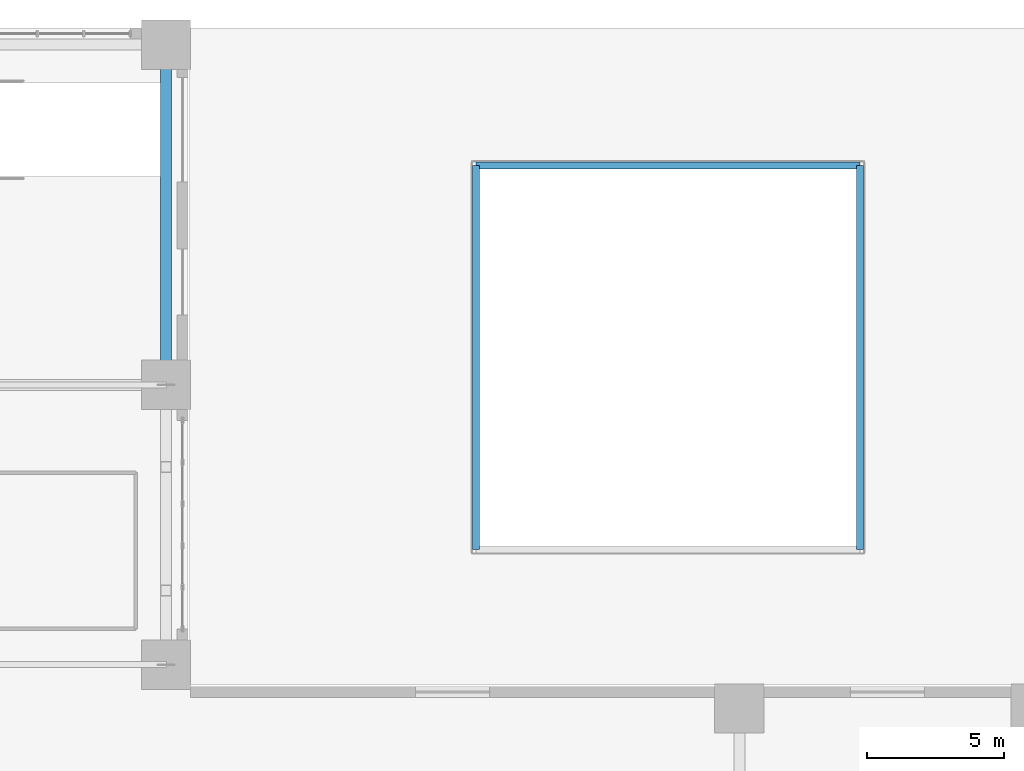
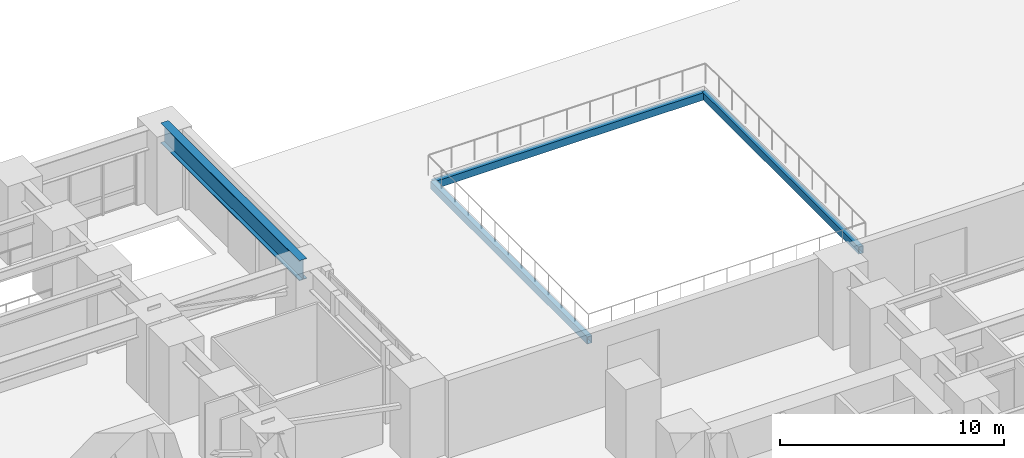
# One storey, part 9 of 23: 4 beams.
"""IFC4 building model written with IfcOpenShell, lengths in metres."""

from ifc_helpers import new_model, si_unit, direction, frame, origin, origin_2d, place, context, subcontext, project, spatial, hollow_rectangle, i_section, extrude, source, transform, mapped, material, material_profile, profile_set, type_object, element, save


model = new_model("IFC4")

# Units and contexts
model_context = context("Model", 3, precision=1e-05, world=origin(), true_north=direction((0.0, 1.0)))
body_context = subcontext(model_context, "Body", "Model", "MODEL_VIEW")
ifc_project = project(units=[si_unit("LENGTHUNIT", "METRE"), si_unit("AREAUNIT", "SQUARE_METRE"), si_unit("VOLUMEUNIT", "CUBIC_METRE"), si_unit("PLANEANGLEUNIT", "RADIAN"), si_unit("MASSUNIT", "GRAM", prefix="KILO")], contexts=[model_context])

# Site, building, storey
site_placement = place(None, origin())
site = spatial("IfcSite", under=ifc_project, at=site_placement, CompositionType="ELEMENT")
building_placement = place(site_placement, origin())
building = spatial("IfcBuilding", under=site, at=building_placement, Name="Kharzan Plaza Tower", CompositionType="ELEMENT")
storey_placement = place(building_placement, origin())
storey = spatial("IfcBuildingStorey", under=building, at=storey_placement, Name="L00", CompositionType="ELEMENT", Elevation=0.0)

# Beams
ifc_material = material(Name="Steel S355", Category="steel")
ifc_material_profile_1 = material_profile(ifc_material, i_section(OverallWidth=0.39990234375, OverallDepth=1.10009765625, WebThickness=0.02001953125, FlangeThickness=0.035888671875, at=origin_2d()), Name="W1100x390")
ifc_profile_set_1 = profile_set([ifc_material_profile_1], Name="Steel S355")
beam_type_1 = type_object("IfcBeamType", Name="BM-PG1100B", PredefinedType="BEAM", material=ifc_profile_set_1)
shared_shape_1 = source(origin(), body_context, "Body", "SweptSolid", [
    extrude(i_section(OverallWidth=0.39990234375, OverallDepth=1.10009765625, WebThickness=0.02001953125, FlangeThickness=0.035888671875, at=origin_2d()), origin(), (0.0, 0.0, 1.0), 12.39990234375),
])
beam_placement = place(storey_placement, frame((26.699951171875, 37.0, 3.699951171875), z_axis=(0.0, 1.0, 0.0), x_axis=(-1.0, 0.0, 0.0)))
element("IfcBeam", 1, at=beam_placement, inside=storey, type_object=beam_type_1, Name="L00 Podium Primary Girder PG-33", PredefinedType="BEAM", context=body_context, shape_type="MappedRepresentation", body=[
    mapped(shared_shape_1, transform((0.0, 0.0, 0.0), x_axis=(1.0, 0.0, 0.0), y_axis=(0.0, 1.0, 0.0), z_axis=(0.0, 0.0, 1.0))),
])
ifc_material_profile_2 = material_profile(ifc_material, hollow_rectangle(XDim=0.25, YDim=0.39990234375, WallThickness=0.01611328125, at=origin_2d()), Name="RHS400x250x16")
ifc_profile_set_2 = profile_set([ifc_material_profile_2], Name="Steel S355")
beam_type_2 = type_object("IfcBeamType", Name="BM-OCU400", PredefinedType="SPANDREL", material=ifc_profile_set_2)
shared_shape_2 = source(origin(), body_context, "Body", "SweptSolid", [
    extrude(hollow_rectangle(XDim=0.25, YDim=0.39990234375, WallThickness=0.01611328125, at=origin_2d()), origin(), (0.0, 0.0, 1.0), 14.0),
])
for number, where, z_axis, x_axis, name in (
    (2, (52.0, 31.0, -0.449951171875), (0.0, 1.0, 0.0), (-1.0, 0.0, 0.0), "L00 Sunken Oculus Edge Ring Beam OCB1-2"),
    (3, (52.0, 45.0, -0.449951171875), (-1.0, 0.0, 0.0), (0.0, -1.0, 0.0), "L00 Sunken Oculus Edge Ring Beam OCB1-3"),
    (4, (38.0, 45.0, -0.449951171875), (0.0, -1.0, 0.0), (1.0, 0.0, 0.0), "L00 Sunken Oculus Edge Ring Beam OCB1-4"),
):
    element("IfcBeam", number, at=place(storey_placement, frame(where, z_axis=z_axis, x_axis=x_axis)), inside=storey, type_object=beam_type_2, Name=name, PredefinedType="SPANDREL", context=body_context, shape_type="MappedRepresentation", body=[
        mapped(shared_shape_2, transform((0.0, 0.0, 0.0), x_axis=(1.0, 0.0, 0.0), y_axis=(0.0, 1.0, 0.0), z_axis=(0.0, 0.0, 1.0))),
    ])

save(model, "model.ifc")
